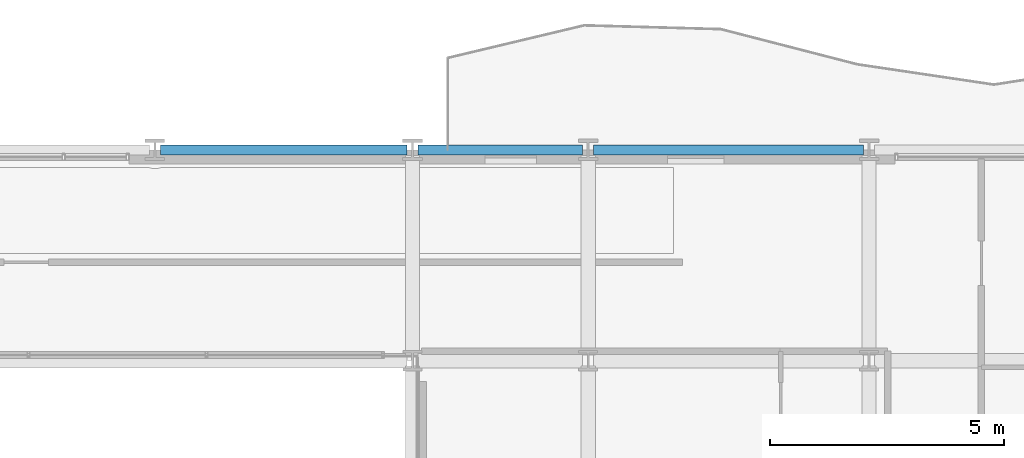
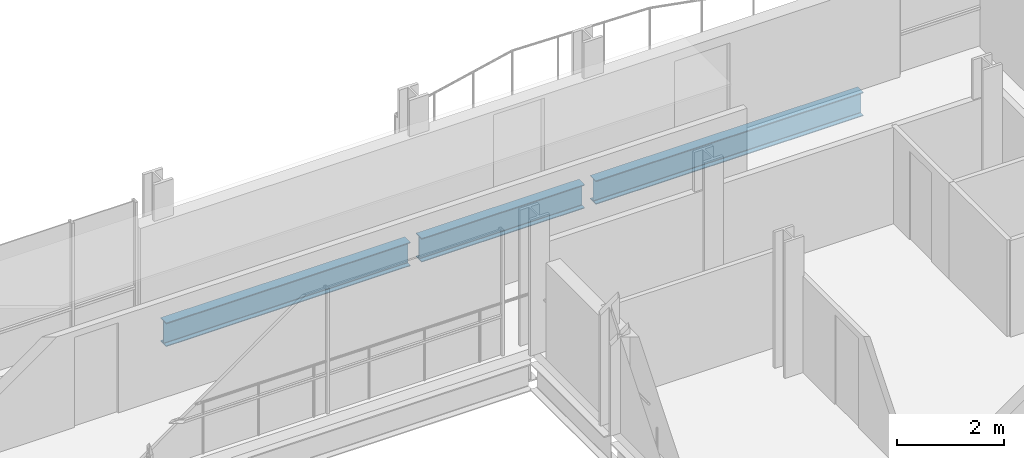
# One storey, part 23 of 41: 3 beams.
"""IFC4 building model written with IfcOpenShell, lengths in metres."""

from ifc_helpers import new_model, si_unit, direction, frame, origin, origin_2d, place, context, subcontext, project, spatial, i_section, extrude, material, material_profile, profile_set, type_object, element, save


model = new_model("IFC4")

# Units and contexts
model_context = context("Model", 3, precision=1e-05, world=origin(), true_north=direction((0.0, 1.0)))
body_context = subcontext(model_context, "Body", "Model", "MODEL_VIEW")
ifc_project = project(units=[si_unit("LENGTHUNIT", "METRE"), si_unit("AREAUNIT", "SQUARE_METRE"), si_unit("VOLUMEUNIT", "CUBIC_METRE"), si_unit("PLANEANGLEUNIT", "RADIAN"), si_unit("MASSUNIT", "GRAM", prefix="KILO")], contexts=[model_context])

# Site, building, storey
site_placement = place(None, origin())
site = spatial("IfcSite", under=ifc_project, at=site_placement, CompositionType="ELEMENT")
building_placement = place(site_placement, origin())
building = spatial("IfcBuilding", under=site, at=building_placement, Name="Brevholm Reach", CompositionType="ELEMENT")
storey_placement = place(building_placement, frame((0.0, 0.0, 93.10009765625)))
storey = spatial("IfcBuildingStorey", under=building, at=storey_placement, Name="L27", CompositionType="ELEMENT", Elevation=93.10009765625)

# Beams
ifc_material = material(Name="Structural Steel S355J2", Category="steel")
ifc_material_profile = material_profile(ifc_material, i_section(OverallWidth=0.210693359375, OverallDepth=0.53955078125, WebThickness=0.01171875, FlangeThickness=0.018798828125, FilletRadius=0.0126953125, at=origin_2d()), Name="UKB 533x210x109")
ifc_profile_set = profile_set([ifc_material_profile], Name="Structural Steel S355J2")
beam_type = type_object("IfcBeamType", Name="BM-SP539", PredefinedType="SPANDREL", material=ifc_profile_set)
beam_1_placement = place(storey_placement, frame((32.8701171875, 31.0, -0.499755859375), z_axis=(1.0, 0.0, 0.0), x_axis=(0.0, 1.0, 0.0)))
element("IfcBeam", 1, at=beam_1_placement, inside=storey, type_object=beam_type, Name="L27 SP-01B Framing Beam", PredefinedType="SPANDREL", context=body_context, shape_type="SweptSolid", body=[
    extrude(i_section(OverallWidth=0.210693359375, OverallDepth=0.53955078125, WebThickness=0.01171875, FlangeThickness=0.018798828125, FilletRadius=0.0126953125, at=origin_2d()), origin(), (0.0, 0.0, 1.0), 5.259765625),
])
beam_2_placement = place(storey_placement, frame((38.3701171875, 31.0, -0.499755859375), z_axis=(1.0, 0.0, 0.0), x_axis=(0.0, 1.0, 0.0)))
element("IfcBeam", 2, at=beam_2_placement, inside=storey, type_object=beam_type, Name="L27 SP-01B Framing Beam", PredefinedType="SPANDREL", context=body_context, shape_type="SweptSolid", body=[
    extrude(i_section(OverallWidth=0.210693359375, OverallDepth=0.53955078125, WebThickness=0.01171875, FlangeThickness=0.018798828125, FilletRadius=0.0126953125, at=origin_2d()), origin(), (0.0, 0.0, 1.0), 3.509765625),
])
beam_3_placement = place(storey_placement, frame((42.1201171875, 31.0, -0.499755859375), z_axis=(1.0, 0.0, 0.0), x_axis=(0.0, 1.0, 0.0)))
element("IfcBeam", 3, at=beam_3_placement, inside=storey, type_object=beam_type, Name="L27 SP-01B Framing Beam", PredefinedType="SPANDREL", context=body_context, shape_type="SweptSolid", body=[
    extrude(i_section(OverallWidth=0.210693359375, OverallDepth=0.53955078125, WebThickness=0.01171875, FlangeThickness=0.018798828125, FilletRadius=0.0126953125, at=origin_2d()), origin(), (0.0, 0.0, 1.0), 5.759765625),
])

save(model, "model.ifc")
